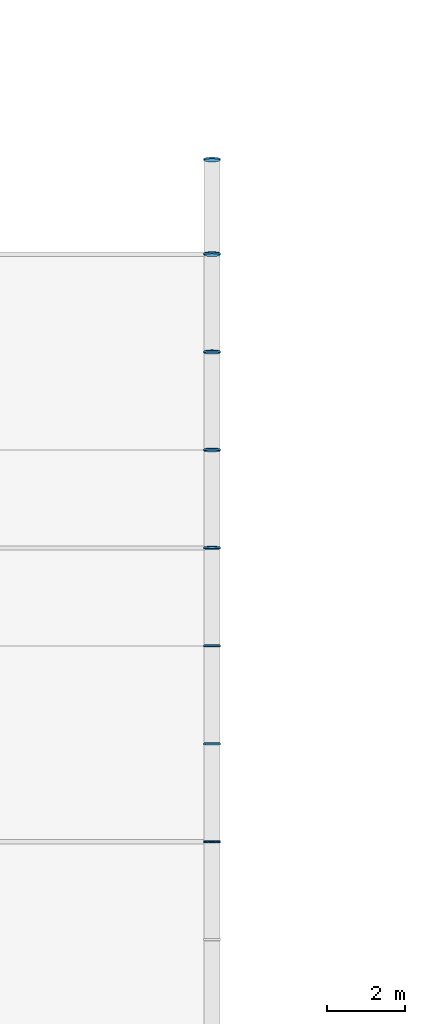
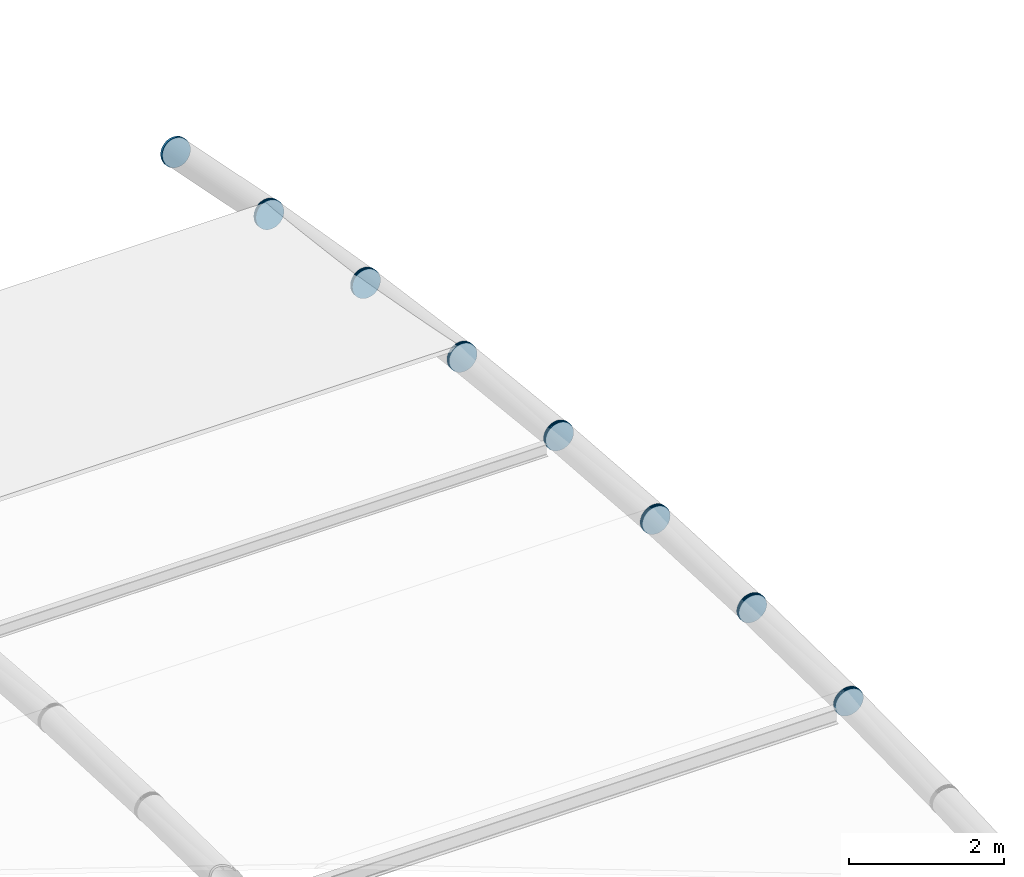
# One storey, part 74 of 105: 15 discrete accessories.
"""IFC4 building model written with IfcOpenShell, lengths in metres."""

from ifc_helpers import new_model, si_unit, direction, frame, origin, origin_2d, place, context, subcontext, project, spatial, circle, extrude, material, element, save


model = new_model("IFC4")

# Units and contexts
model_context = context("Model", 3, precision=1e-05, world=origin(), true_north=direction((0.0, 1.0)))
body_context = subcontext(model_context, "Body", "Model", "MODEL_VIEW")
ifc_project = project(units=[si_unit("LENGTHUNIT", "METRE"), si_unit("AREAUNIT", "SQUARE_METRE"), si_unit("VOLUMEUNIT", "CUBIC_METRE"), si_unit("PLANEANGLEUNIT", "RADIAN"), si_unit("MASSUNIT", "GRAM", prefix="KILO")], contexts=[model_context])

# Site, building, storey
site_placement = place(None, origin())
site = spatial("IfcSite", under=ifc_project, at=site_placement, CompositionType="ELEMENT")
building_placement = place(site_placement, origin())
building = spatial("IfcBuilding", under=site, at=building_placement, Name="Marlcrest Central Station", CompositionType="ELEMENT")
storey_placement = place(building_placement, frame((0.0, 0.0, 15.0)))
storey = spatial("IfcBuildingStorey", under=building, at=storey_placement, Name="L03", CompositionType="ELEMENT", Elevation=15.0)

# Discrete accessories
ifc_material = material(Name="Steel S355", Category="steel")
for number, where, z_axis, x_axis, name in (
    (1, (72.0, 65.97509765625, 1.799560546875), (0.0, 0.999879472592, 0.01552547228), (-1.0, 0.0, 0.0), "endcap-mem-AC-01-L03-01035-e"),
    (2, (72.0, 65.985107421875, 1.80029296875), (0.0, 0.999879472592, -0.01552547228), (-1.0, 0.0, 0.0), "endcap-mem-AC-01-L03-01039-s"),
    (3, (72.0, 68.47509765625, 1.76171875), (0.0, 0.999879472592, -0.01552547228), (-1.0, 0.0, 0.0), "endcap-mem-AC-01-L03-01039-e"),
    (4, (72.0, 68.485107421875, 1.761962890625), (0.0, 0.998921349185, -0.046434234591), (-1.0, 0.0, 0.0), "endcap-mem-AC-01-L03-01043-s"),
    (5, (72.0, 70.97509765625, 1.646240234375), (0.0, 0.998921349185, -0.046434234591), (-1.0, 0.0, 0.0), "endcap-mem-AC-01-L03-01043-e"),
    (6, (72.0, 70.985107421875, 1.646240234375), (0.0, 0.996999825732, -0.077403795064), (-1.0, 0.0, 0.0), "endcap-mem-AC-01-L03-01047-s"),
    (7, (72.0, 73.47509765625, 1.452880859375), (0.0, 0.996999825732, -0.077403795064), (-1.0, 0.0, 0.0), "endcap-mem-AC-01-L03-01047-e"),
    (8, (72.0, 73.485107421875, 1.45263671875), (0.0, 0.994155341034, -0.107959056565), (-1.0, 0.0, 0.0), "endcap-mem-AC-01-L03-01051-s"),
    (9, (72.0, 75.97509765625, 1.18212890625), (0.0, 0.994155341034, -0.107959056565), (-1.0, 0.0, 0.0), "endcap-mem-AC-01-L03-01051-e"),
    (10, (72.0, 75.985107421875, 1.181396484375), (0.0, 0.990402740232, -0.138211476152), (-1.0, 0.0, 0.0), "endcap-mem-AC-01-L03-01055-s"),
    (11, (72.0, 78.475341796875, 0.833984375), (0.0, 0.990402740232, -0.138211476152), (-1.0, 0.0, 0.0), "endcap-mem-AC-01-L03-01055-e"),
    (12, (72.0, 78.485107421875, 0.8330078125), (0.0, 0.98574109921, -0.168269086076), (-1.0, 0.0, 0.0), "endcap-mem-AC-01-L03-01059-s"),
    (13, (72.0, 80.975341796875, 0.407958984375), (0.0, 0.98574109921, -0.168269086076), (-1.0, 0.0, 0.0), "endcap-mem-AC-01-L03-01059-e"),
    (14, (72.0, 80.9853515625, 0.40673828125), (0.0, 0.980359417961, -0.197219196874), (-1.0, 0.0, 0.0), "endcap-mem-AC-01-L03-01063-s"),
    (15, (72.0, 83.3955078125, -0.078125), (0.0, 0.980359417961, -0.197219196874), (-1.0, 0.0, 0.0), "endcap-mem-AC-01-L03-01063-e"),
):
    element("IfcDiscreteAccessory", number, at=place(storey_placement, frame(where, z_axis=z_axis, x_axis=x_axis)), inside=storey, material=ifc_material, Name=name, ObjectType="END_CAP_PLATE", PredefinedType="BRACKET", context=body_context, shape_type="SweptSolid", body=[
        extrude(circle(Radius=0.211181640625, at=origin_2d()), origin(), (0.0, 0.0, 1.0), 0.0400390625),
    ])

save(model, "model.ifc")
